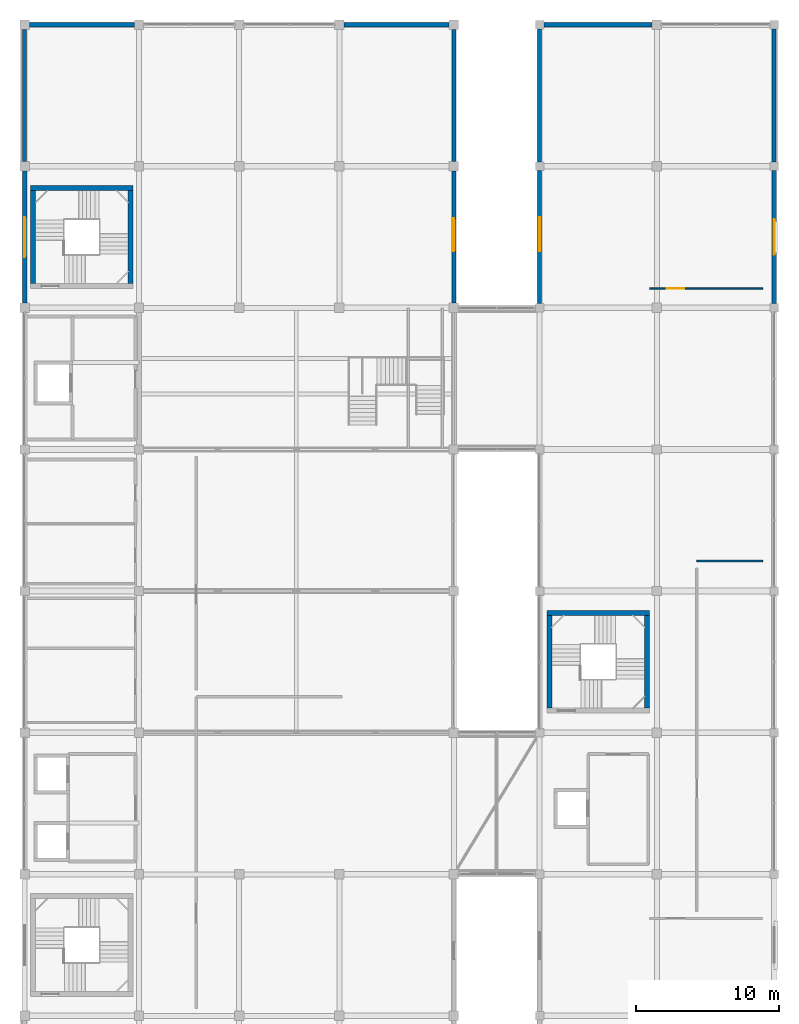
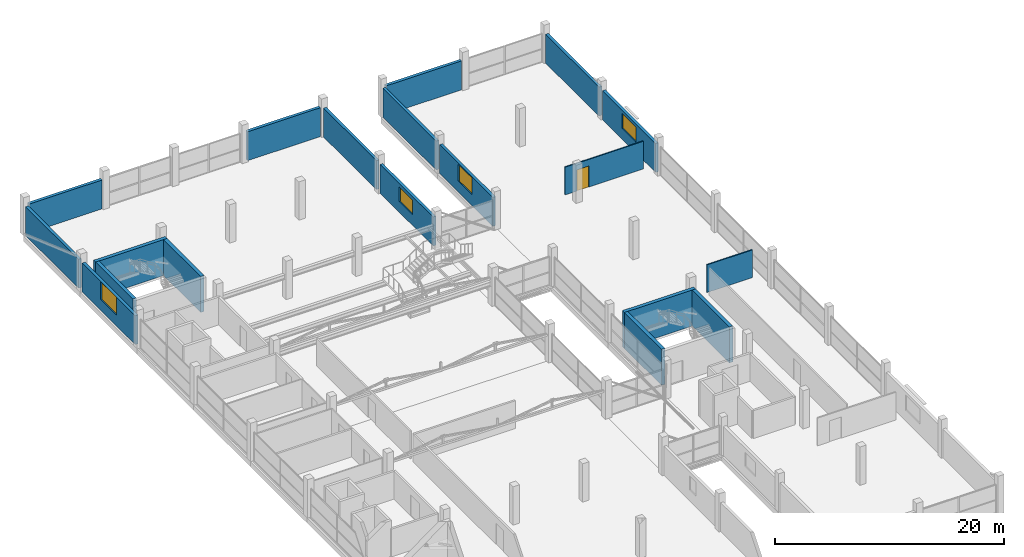
# One storey, part 59 of 70: 19 walls, 4 windows, 1 door, 5 openings.
"""IFC4 building model written with IfcOpenShell, lengths in metres."""

from ifc_helpers import new_model, si_unit, direction, frame, frame_2d, origin, place, context, subcontext, project, spatial, rectangle, extrude, material, layer, layer_set, type_object, element, fill, save


model = new_model("IFC4")

# Units and contexts
model_context = context("Model", 3, precision=1e-05, world=origin(), true_north=direction((0.0, 1.0)))
body_context = subcontext(model_context, "Body", "Model", "MODEL_VIEW")
ifc_project = project(units=[si_unit("LENGTHUNIT", "METRE"), si_unit("AREAUNIT", "SQUARE_METRE"), si_unit("VOLUMEUNIT", "CUBIC_METRE"), si_unit("PLANEANGLEUNIT", "RADIAN"), si_unit("MASSUNIT", "GRAM", prefix="KILO")], contexts=[model_context])

# Site, building, storey
site_placement = place(None, origin())
site = spatial("IfcSite", under=ifc_project, at=site_placement, CompositionType="ELEMENT")
building_placement = place(site_placement, origin())
building = spatial("IfcBuilding", under=site, at=building_placement, Name="Sillaruma Civic Art Gallery", CompositionType="ELEMENT")
storey_placement = place(building_placement, frame((0.0, 0.0, 66.300048828125)))
storey = spatial("IfcBuildingStorey", under=building, at=storey_placement, Name="L13", CompositionType="ELEMENT", Elevation=66.300048828125)

# Walls
ifc_material_1 = material(Name="Concrete H40 (40 MPa)", Category="concrete")
ifc_layer_1 = layer(ifc_material_1, 0.35009765625, Name="Concrete H40 (40 MPa)")
ifc_layer_set_1 = layer_set([ifc_layer_1], Name="Concrete H40 (40 MPa)")
wall_type_1 = type_object("IfcWallType", Name="WAL-CORE-350", PredefinedType="SHEAR", material=ifc_layer_set_1)
wall_1_placement = place(storey_placement, frame((62.409912109375, 87.56494140625, 0.0), z_axis=(0.0, 0.0, 1.0), x_axis=(1.0, 0.0, 0.0)))
element("IfcWall", 1, at=wall_1_placement, inside=storey, type_object=wall_type_1, Name="Stair Core Shear Wall W-CORE-350 (ST-02:L13:N)", PredefinedType="SHEAR", context=body_context, shape_type="SweptSolid", body=[
    extrude(rectangle(XDim=7.18017578125, YDim=0.35009765625, at=frame_2d((3.590087890625, 0.0))), origin(), (0.0, 0.0, 1.0), 3.829833984375),
])
for number, where, z_axis, x_axis, name in (
    (2, (62.5849609375, 80.909912109375, 0.0), (0.0, 0.0, 1.0), (0.0, 1.0, 0.0), "Stair Core Shear Wall W-CORE-350 (ST-02:L13:W)"),
    (3, (69.4150390625, 80.909912109375, 0.0), (0.0, 0.0, 1.0), (0.0, 1.0, 0.0), "Stair Core Shear Wall W-CORE-350 (ST-02:L13:E)"),
):
    element("IfcWall", number, at=place(storey_placement, frame(where, z_axis=z_axis, x_axis=x_axis)), inside=storey, type_object=wall_type_1, Name=name, PredefinedType="SHEAR", context=body_context, shape_type="SweptSolid", body=[
        extrude(rectangle(XDim=6.47998046875, YDim=0.35009765625, at=frame_2d((3.239990234375, 0.0))), origin(), (0.0, 0.0, 1.0), 3.829833984375),
    ])
wall_2_placement = place(storey_placement, frame((98.510009765625, 57.864990234375, 0.0), z_axis=(0.0, 0.0, 1.0), x_axis=(1.0, 0.0, 0.0)))
element("IfcWall", 4, at=wall_2_placement, inside=storey, type_object=wall_type_1, Name="Stair Core Shear Wall W-CORE-350 (ST-04:L13:N)", PredefinedType="SHEAR", context=body_context, shape_type="SweptSolid", body=[
    extrude(rectangle(XDim=7.179931640625, YDim=0.35009765625, at=frame_2d((3.58984375, 0.0))), origin(), (0.0, 0.0, 1.0), 3.829833984375),
])
for number, where, z_axis, x_axis, name in (
    (5, (98.68505859375, 51.2099609375, 0.0), (0.0, 0.0, 1.0), (0.0, 1.0, 0.0), "Stair Core Shear Wall W-CORE-350 (ST-04:L13:W)"),
    (6, (105.514892578125, 51.2099609375, 0.0), (0.0, 0.0, 1.0), (0.0, 1.0, 0.0), "Stair Core Shear Wall W-CORE-350 (ST-04:L13:E)"),
):
    element("IfcWall", number, at=place(storey_placement, frame(where, z_axis=z_axis, x_axis=x_axis)), inside=storey, type_object=wall_type_1, Name=name, PredefinedType="SHEAR", context=body_context, shape_type="SweptSolid", body=[
        extrude(rectangle(XDim=6.47998046875, YDim=0.35009765625, at=frame_2d((3.239990234375, 0.0))), origin(), (0.0, 0.0, 1.0), 3.829833984375),
    ])

# Wall, opening, window
ifc_material_2 = material(Name="Concrete H35 (35 MPa)", Category="concrete")
ifc_layer_2 = layer(ifc_material_2, 0.159912109375, Name="Concrete backup", Category="concrete")
ifc_material_3 = material(Name="Mineral Wool Thermal Insulation", Category="insulation")
ifc_layer_3 = layer(ifc_material_3, 0.090087890625, Name="Thermal insulation", Category="insulation")
ifc_material_4 = material(Name="Anodised Zinc-Aluminium Alloy", Category="aluminium")
ifc_layer_4 = layer(ifc_material_4, 0.030029296875, Name="Rainscreen finish", Category="aluminium")
ifc_layer_set_2 = layer_set([ifc_layer_2, ifc_layer_3, ifc_layer_4], Name="W-EXT-280")
wall_type_2 = type_object("IfcWallType", Name="WAL-EXT-280", PredefinedType="SOLIDWALL", material=ifc_layer_set_2)
wall_3_placement = place(storey_placement, frame((92.0, 79.52490234375, 0.0), z_axis=(0.0, 0.0, 1.0), x_axis=(0.0, 1.0, 0.0)))
wall_3 = element("IfcWall", 7, at=wall_3_placement, inside=storey, type_object=wall_type_2, Name="Exterior Wall W-EXT-280 (EW-L13-WBE-7)", PredefinedType="SOLIDWALL", context=body_context, shape_type="SweptSolid", body=[
    extrude(rectangle(XDim=9.25, YDim=0.280029296875, at=frame_2d((4.625, 0.0))), origin(), (0.0, 0.0, 1.0), 3.079833984375),
])
opening_1_placement = place(wall_3_placement, frame((3.625, 0.0, 1.14990234375)))
opening_1 = element("IfcOpeningElement", 8, at=opening_1_placement, cuts=wall_3, Name="Opening WN-12", PredefinedType="OPENING", context=body_context, shape_type="SweptSolid", body=[
    extrude(rectangle(XDim=2.300048828125, YDim=1.550048828125, at=frame_2d((1.14990234375, 0.77490234375))), frame((0.0, 0.14990234375, 0.0), z_axis=(0.0, -1.0, 0.0), x_axis=(1.0, 0.0, 0.0)), (0.0, 0.0, 1.0), 0.300048828125),
])
ifc_material_5 = material(Name="Thermally Broken Extruded Aluminium 6063-T6", Category="aluminium")
window_type_1 = type_object("IfcWindowType", Name="WIN-W12", PartitioningType="SINGLE_PANEL", PredefinedType="WINDOW", material=ifc_material_5)
window_1_placement = place(opening_1_placement, origin())
window_1 = element("IfcWindow", 9, at=window_1_placement, inside=storey, type_object=window_type_1, Name="Window WN-12 (EW-L13-WBE-7-1)", OverallHeight=1.550048828125, OverallWidth=2.300048828125, PartitioningType="SINGLE_PANEL", PredefinedType="WINDOW", context=body_context, shape_type="SweptSolid", body=[
    extrude(rectangle(XDim=2.300048828125, YDim=1.550048828125, at=frame_2d((1.14990234375, 0.77490234375))), frame((0.0, 0.030029296875, 0.0), z_axis=(0.0, -1.0, 0.0), x_axis=(1.0, 0.0, 0.0)), (0.0, 0.0, 1.0), 0.06005859375),
])
fill(opening_1, window_1)

# Wall
wall_4_placement = place(storey_placement, frame((92.0, 89.425048828125, 0.0), z_axis=(0.0, 0.0, 1.0), x_axis=(0.0, 1.0, 0.0)))
element("IfcWall", 10, at=wall_4_placement, inside=storey, type_object=wall_type_2, Name="Exterior Wall W-EXT-280 (EW-L13-WBE-8)", PredefinedType="SOLIDWALL", context=body_context, shape_type="SweptSolid", body=[
    extrude(rectangle(XDim=9.25, YDim=0.280029296875, at=frame_2d((4.625, 0.0))), origin(), (0.0, 0.0, 1.0), 3.079833984375),
])

# Wall, opening, window
wall_5_placement = place(storey_placement, frame((98.0, 79.5, 0.0), z_axis=(0.0, 0.0, 1.0), x_axis=(0.0, 1.0, 0.0)))
wall_5 = element("IfcWall", 11, at=wall_5_placement, inside=storey, type_object=wall_type_2, Name="Exterior Wall W-EXT-280 (EW-L13-EBW-7)", PredefinedType="SOLIDWALL", context=body_context, shape_type="SweptSolid", body=[
    extrude(rectangle(XDim=9.300048828125, YDim=0.280029296875, at=frame_2d((4.64990234375, 0.0))), origin(), (0.0, 0.0, 1.0), 3.079833984375),
])
opening_2_placement = place(wall_5_placement, frame((3.64990234375, 0.0, 1.14990234375)))
opening_2 = element("IfcOpeningElement", 12, at=opening_2_placement, cuts=wall_5, Name="Opening WN-01", PredefinedType="OPENING", context=body_context, shape_type="SweptSolid", body=[
    extrude(rectangle(XDim=2.39990234375, YDim=1.800048828125, at=frame_2d((1.199951171875, 0.89990234375))), frame((0.0, 0.14990234375, 0.0), z_axis=(0.0, -1.0, 0.0), x_axis=(1.0, 0.0, 0.0)), (0.0, 0.0, 1.0), 0.300048828125),
])
window_type_2 = type_object("IfcWindowType", Name="WIN-W01", PartitioningType="SINGLE_PANEL", PredefinedType="WINDOW", material=ifc_material_5)
window_2_placement = place(opening_2_placement, origin())
window_2 = element("IfcWindow", 13, at=window_2_placement, inside=storey, type_object=window_type_2, Name="Window WN-01 (EW-L13-EBW-7-1)", OverallHeight=1.800048828125, OverallWidth=2.39990234375, PartitioningType="SINGLE_PANEL", PredefinedType="WINDOW", context=body_context, shape_type="SweptSolid", body=[
    extrude(rectangle(XDim=2.39990234375, YDim=1.800048828125, at=frame_2d((1.199951171875, 0.89990234375))), frame((0.0, 0.030029296875, 0.0), z_axis=(0.0, -1.0, 0.0), x_axis=(1.0, 0.0, 0.0)), (0.0, 0.0, 1.0), 0.06005859375),
])
fill(opening_2, window_2)

# Walls
wall_6_placement = place(storey_placement, frame((98.0, 89.39990234375, 0.0), z_axis=(0.0, 0.0, 1.0), x_axis=(0.0, 1.0, 0.0)))
element("IfcWall", 14, at=wall_6_placement, inside=storey, type_object=wall_type_2, Name="Exterior Wall W-EXT-280 (EW-L13-EBW-8)", PredefinedType="SOLIDWALL", context=body_context, shape_type="SweptSolid", body=[
    extrude(rectangle(XDim=9.300048828125, YDim=0.280029296875, at=frame_2d((4.64990234375, 0.0))), origin(), (0.0, 0.0, 1.0), 3.079833984375),
])
ifc_layer_5 = layer(ifc_material_2, 0.169921875, Name="Concrete backup", Category="concrete")
ifc_layer_6 = layer(ifc_material_3, 0.090087890625, Name="Thermal insulation", Category="insulation")
ifc_layer_7 = layer(ifc_material_4, 0.030029296875, Name="Rainscreen finish", Category="aluminium")
ifc_layer_set_3 = layer_set([ifc_layer_5, ifc_layer_6, ifc_layer_7], Name="W-EXT-290")
wall_type_3 = type_object("IfcWallType", Name="WAL-EXT-290", PredefinedType="SOLIDWALL", material=ifc_layer_set_3)
wall_7_placement = place(storey_placement, frame((62.0, 89.425048828125, 0.0), z_axis=(0.0, 0.0, 1.0), x_axis=(0.0, 1.0, 0.0)))
element("IfcWall", 15, at=wall_7_placement, inside=storey, type_object=wall_type_3, Name="Exterior Wall W-EXT-290 (EW-L13-WBW-8)", PredefinedType="SOLIDWALL", context=body_context, shape_type="SweptSolid", body=[
    extrude(rectangle(XDim=9.25, YDim=0.2900390625, at=frame_2d((4.625, 0.0))), origin(), (0.0, 0.0, 1.0), 3.079833984375),
])
wall_8_placement = place(storey_placement, frame((114.39990234375, 89.39990234375, 0.0), z_axis=(0.0, 0.0, 1.0), x_axis=(0.0, 1.0, 0.0)))
element("IfcWall", 16, at=wall_8_placement, inside=storey, type_object=wall_type_3, Name="Exterior Wall W-EXT-290 (EW-L13-EBE-8)", PredefinedType="SOLIDWALL", context=body_context, shape_type="SweptSolid", body=[
    extrude(rectangle(XDim=9.300048828125, YDim=0.2900390625, at=frame_2d((4.64990234375, 0.0))), origin(), (0.0, 0.0, 1.0), 3.079833984375),
])

# Wall, opening, window
ifc_material_6 = material(Name="Precast Concrete H35 (35 MPa)", Category="concrete")
ifc_layer_8 = layer(ifc_material_6, 0.179931640625, Name="Precast backup", Category="concrete")
ifc_layer_9 = layer(ifc_material_3, 0.090087890625, Name="Thermal insulation", Category="insulation")
ifc_material_7 = material(Name="Comanche Granitic Ashlar Stone", Category="masonry")
ifc_layer_10 = layer(ifc_material_7, 0.030029296875, Name="Rainscreen cladding", Category="masonry")
ifc_layer_set_4 = layer_set([ifc_layer_8, ifc_layer_9, ifc_layer_10], Name="W-EXT-300")
wall_type_4 = type_object("IfcWallType", Name="WAL-EXT-300", PredefinedType="SOLIDWALL", material=ifc_layer_set_4)
wall_9_placement = place(storey_placement, frame((62.0, 79.52490234375, 0.0), z_axis=(0.0, 0.0, 1.0), x_axis=(0.0, 1.0, 0.0)))
wall_9 = element("IfcWall", 17, at=wall_9_placement, inside=storey, type_object=wall_type_4, Name="Exterior Wall W-EXT-300 (EW-L13-WBW-7)", PredefinedType="SOLIDWALL", context=body_context, shape_type="SweptSolid", body=[
    extrude(rectangle(XDim=9.25, YDim=0.300048828125, at=frame_2d((4.625, 0.0))), origin(), (0.0, 0.0, 1.0), 3.079833984375),
])
opening_3_placement = place(wall_9_placement, frame((3.22509765625, 0.0, 1.14990234375)))
opening_3 = element("IfcOpeningElement", 18, at=opening_3_placement, cuts=wall_9, Name="Opening WN-09", PredefinedType="OPENING", context=body_context, shape_type="SweptSolid", body=[
    extrude(rectangle(XDim=2.800048828125, YDim=1.89990234375, at=frame_2d((1.39990234375, 0.949951171875))), frame((0.0, 0.159912109375, 0.0), z_axis=(0.0, -1.0, 0.0), x_axis=(1.0, 0.0, 0.0)), (0.0, 0.0, 1.0), 0.320068359375),
])
window_type_3 = type_object("IfcWindowType", Name="WIN-W09", PartitioningType="SINGLE_PANEL", PredefinedType="WINDOW", material=ifc_material_5)
window_3_placement = place(opening_3_placement, origin())
window_3 = element("IfcWindow", 19, at=window_3_placement, inside=storey, type_object=window_type_3, Name="Window WN-09 (EW-L13-WBW-7-1)", OverallHeight=1.89990234375, OverallWidth=2.800048828125, PartitioningType="SINGLE_PANEL", PredefinedType="WINDOW", context=body_context, shape_type="SweptSolid", body=[
    extrude(rectangle(XDim=2.800048828125, YDim=1.89990234375, at=frame_2d((1.39990234375, 0.949951171875))), frame((0.0, 0.030029296875, 0.0), z_axis=(0.0, -1.0, 0.0), x_axis=(1.0, 0.0, 0.0)), (0.0, 0.0, 1.0), 0.06005859375),
])
fill(opening_3, window_3)

# Walls
for number, where, z_axis, x_axis, name in (
    (20, (62.324951171875, 99.0, 0.0), (0.0, 0.0, 1.0), (1.0, 0.0, 0.0), "Exterior Wall W-EXT-300 (EW-L13-WBN-1)"),
    (21, (84.324951171875, 99.0, 0.0), (0.0, 0.0, 1.0), (1.0, 0.0, 0.0), "Exterior Wall W-EXT-300 (EW-L13-WBN-4)"),
):
    element("IfcWall", number, at=place(storey_placement, frame(where, z_axis=z_axis, x_axis=x_axis)), inside=storey, type_object=wall_type_4, Name=name, PredefinedType="SOLIDWALL", context=body_context, shape_type="SweptSolid", body=[
        extrude(rectangle(XDim=7.35009765625, YDim=0.300048828125, at=frame_2d((3.675048828125, 0.0))), origin(), (0.0, 0.0, 1.0), 3.079833984375),
    ])

# Wall, opening, window
wall_10_placement = place(storey_placement, frame((114.39990234375, 79.5, 0.0), z_axis=(0.0, 0.0, 1.0), x_axis=(0.0, 1.0, 0.0)))
wall_10 = element("IfcWall", 22, at=wall_10_placement, inside=storey, type_object=wall_type_4, Name="Exterior Wall W-EXT-300 (EW-L13-EBE-7)", PredefinedType="SOLIDWALL", context=body_context, shape_type="SweptSolid", body=[
    extrude(rectangle(XDim=9.300048828125, YDim=0.300048828125, at=frame_2d((4.64990234375, 0.0))), origin(), (0.0, 0.0, 1.0), 3.079833984375),
])
opening_4_placement = place(wall_10_placement, frame((3.39990234375, 0.0, 1.14990234375)))
opening_4 = element("IfcOpeningElement", 23, at=opening_4_placement, cuts=wall_10, Name="Opening WN-11", PredefinedType="OPENING", context=body_context, shape_type="SweptSolid", body=[
    extrude(rectangle(XDim=2.5, YDim=1.60009765625, at=frame_2d((1.25, 0.800048828125))), frame((0.0, 0.159912109375, 0.0), z_axis=(0.0, -1.0, 0.0), x_axis=(1.0, 0.0, 0.0)), (0.0, 0.0, 1.0), 0.320068359375),
])
window_type_4 = type_object("IfcWindowType", Name="WIN-W11", PartitioningType="SINGLE_PANEL", PredefinedType="WINDOW", material=ifc_material_5)
window_4_placement = place(opening_4_placement, origin())
window_4 = element("IfcWindow", 24, at=window_4_placement, inside=storey, type_object=window_type_4, Name="Window WN-11 (EW-L13-EBE-7-1)", OverallHeight=1.60009765625, OverallWidth=2.5, PartitioningType="SINGLE_PANEL", PredefinedType="WINDOW", context=body_context, shape_type="SweptSolid", body=[
    extrude(rectangle(XDim=2.5, YDim=1.60009765625, at=frame_2d((1.25, 0.800048828125))), frame((0.0, 0.030029296875, 0.0), z_axis=(0.0, -1.0, 0.0), x_axis=(1.0, 0.0, 0.0)), (0.0, 0.0, 1.0), 0.06005859375),
])
fill(opening_4, window_4)

# Wall
wall_11_placement = place(storey_placement, frame((98.300048828125, 99.0, 0.0), z_axis=(0.0, 0.0, 1.0), x_axis=(1.0, 0.0, 0.0)))
element("IfcWall", 25, at=wall_11_placement, inside=storey, type_object=wall_type_4, Name="Exterior Wall W-EXT-300 (EW-L13-EBN-1)", PredefinedType="SOLIDWALL", context=body_context, shape_type="SweptSolid", body=[
    extrude(rectangle(XDim=7.574951171875, YDim=0.300048828125, at=frame_2d((3.78759765625, 0.0))), origin(), (0.0, 0.0, 1.0), 3.079833984375),
])

# Wall, opening, door
ifc_material_8 = material(Name="Gypsum Acoustic Board", Category="gypsum")
ifc_layer_11 = layer(ifc_material_8, 0.02490234375, Name="Finish board", Category="gypsum")
ifc_layer_12 = layer(ifc_material_3, 0.06005859375, Name="Acoustic core", Category="insulation")
ifc_material_9 = material(Name="Andean Oak Timber", Category="wood")
ifc_layer_13 = layer(ifc_material_9, 0.02490234375, Name="Gallery lining", Category="wood")
ifc_layer_set_5 = layer_set([ifc_layer_11, ifc_layer_12, ifc_layer_13], Name="W-PT-110")
wall_type_5 = type_object("IfcWallType", Name="WAL-PART-110", PredefinedType="PARTITIONING", material=ifc_layer_set_5)
wall_12_placement = place(storey_placement, frame((105.699951171875, 80.550048828125, 0.0), z_axis=(0.0, 0.0, 1.0), x_axis=(1.0, 0.0, 0.0)))
wall_12 = element("IfcWall", 26, at=wall_12_placement, inside=storey, type_object=wall_type_5, Name="Interior Wall W-PT-110 (L13-STDE3)", PredefinedType="PARTITIONING", context=body_context, shape_type="SweptSolid", body=[
    extrude(rectangle(XDim=7.900146484375, YDim=0.110107421875, at=frame_2d((3.9501953125, 0.0))), origin(), (0.0, 0.0, 1.0), 2.949951171875),
])
opening_5_placement = place(wall_12_placement, frame((1.199951171875, 0.0, 0.0)))
opening_5 = element("IfcOpeningElement", 27, at=opening_5_placement, cuts=wall_12, Name="Opening D-STD12", PredefinedType="OPENING", context=body_context, shape_type="SweptSolid", body=[
    extrude(rectangle(XDim=1.199951171875, YDim=2.25, at=frame_2d((0.60009765625, 1.125))), frame((0.0, 0.06494140625, 0.0), z_axis=(0.0, -1.0, 0.0), x_axis=(1.0, 0.0, 0.0)), (0.0, 0.0, 1.0), 0.130126953125),
])
door_type = type_object("IfcDoorType", Name="DOR-STD-120", OperationType="NOTDEFINED", PredefinedType="DOOR", material=ifc_material_9)
door_placement = place(opening_5_placement, origin())
door = element("IfcDoor", 28, at=door_placement, inside=storey, type_object=door_type, Name="East Wing North Artist Studio (L13) Door (D-STD12)", OperationType="SINGLE_SWING_LEFT", OverallHeight=2.25, OverallWidth=1.199951171875, PredefinedType="DOOR", context=body_context, shape_type="SweptSolid", body=[
    extrude(rectangle(XDim=1.199951171875, YDim=2.25, at=frame_2d((0.60009765625, 1.125))), frame((0.0, 0.02490234375, 0.0), z_axis=(0.0, -1.0, 0.0), x_axis=(1.0, 0.0, 0.0)), (0.0, 0.0, 1.0), 0.050048828125),
])
fill(opening_5, door)

# Wall
ifc_layer_14 = layer(ifc_material_8, 0.02490234375, Name="Finish board", Category="gypsum")
ifc_layer_15 = layer(ifc_material_3, 0.070068359375, Name="Acoustic core", Category="insulation")
ifc_layer_16 = layer(ifc_material_9, 0.02490234375, Name="Gallery lining", Category="wood")
ifc_layer_set_6 = layer_set([ifc_layer_14, ifc_layer_15, ifc_layer_16], Name="W-PT-120")
wall_type_6 = type_object("IfcWallType", Name="WAL-PART-120", PredefinedType="PARTITIONING", material=ifc_layer_set_6)
wall_13_placement = place(storey_placement, frame((109.0, 61.5, 0.0), z_axis=(0.0, 0.0, 1.0), x_axis=(1.0, 0.0, 0.0)))
element("IfcWall", 29, at=wall_13_placement, inside=storey, type_object=wall_type_6, Name="Interior Wall W-PT-120 (L13-STDE2)", PredefinedType="PARTITIONING", context=body_context, shape_type="SweptSolid", body=[
    extrude(rectangle(XDim=4.60009765625, YDim=0.1201171875, at=frame_2d((2.300048828125, 0.0))), origin(), (0.0, 0.0, 1.0), 2.949951171875),
])

save(model, "model.ifc")
